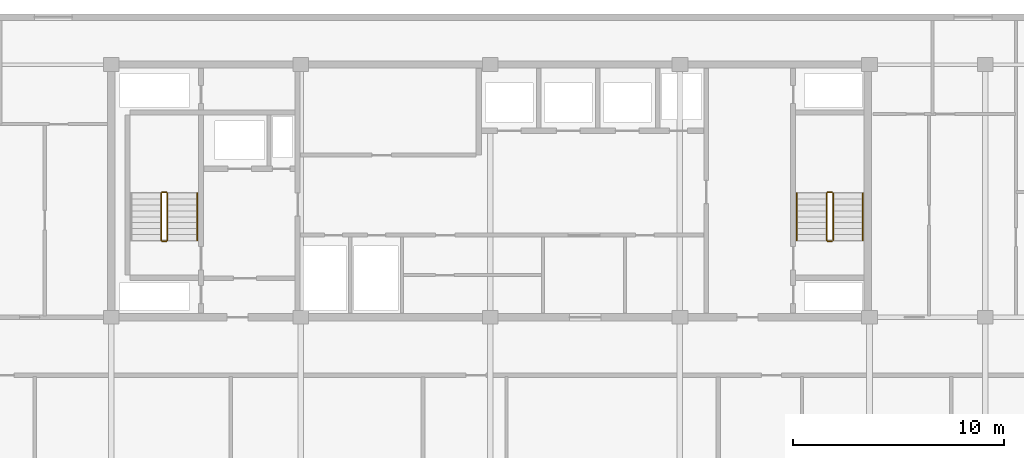
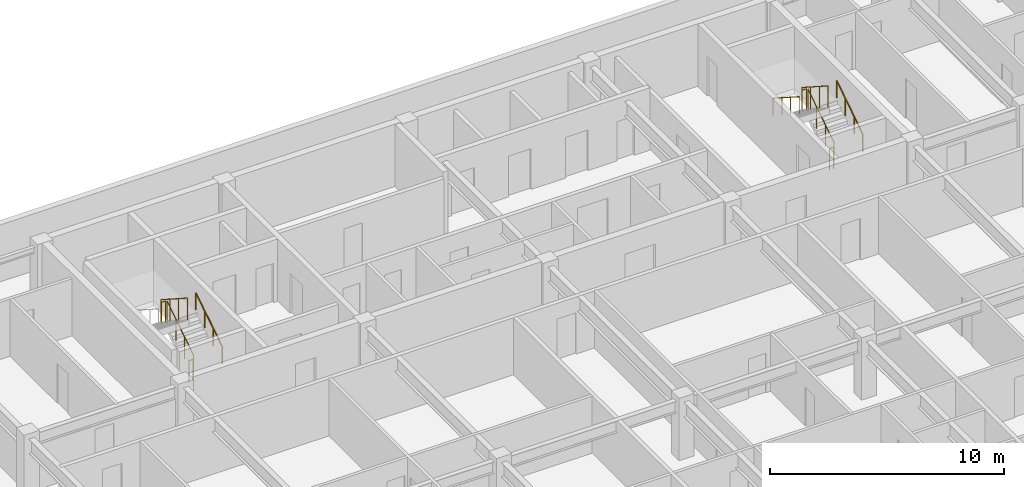
# One storey, part 19 of 22: 11 railings.
"""IFC4 building model written with IfcOpenShell, lengths in metres."""

from ifc_helpers import new_model, si_unit, direction, frame, origin, origin_2d, place, context, subcontext, project, spatial, circle, extrude, material, type_object, element, save


model = new_model("IFC4")

# Units and contexts
model_context = context("Model", 3, precision=1e-05, world=origin(), true_north=direction((0.0, 1.0)))
body_context = subcontext(model_context, "Body", "Model", "MODEL_VIEW")
ifc_project = project(units=[si_unit("LENGTHUNIT", "METRE"), si_unit("AREAUNIT", "SQUARE_METRE"), si_unit("VOLUMEUNIT", "CUBIC_METRE"), si_unit("PLANEANGLEUNIT", "RADIAN"), si_unit("MASSUNIT", "GRAM", prefix="KILO")], contexts=[model_context])

# Site, building, storey
site_placement = place(None, origin())
site = spatial("IfcSite", under=ifc_project, at=site_placement, CompositionType="ELEMENT")
building_placement = place(site_placement, origin())
building = spatial("IfcBuilding", under=site, at=building_placement, Name="Korimba Cascade Residences", CompositionType="ELEMENT")
storey_placement = place(building_placement, frame((0.0, 0.0, 191.35009765625)))
storey = spatial("IfcBuildingStorey", under=building, at=storey_placement, Name="L55", CompositionType="ELEMENT", Elevation=191.35009765625)

# Railings
ifc_material_1 = material(Name="Painted Steel Stairwell Guardrail", Category="steel")
railing_type_1 = type_object("IfcRailingType", Name="RLG-ST-GD1150", PredefinedType="GUARDRAIL", material=ifc_material_1)
railing_1_placement = place(storey_placement, frame((84.77001953125, 22.050048828125, 0.180419921875)))
element("IfcRailing", 1, at=railing_1_placement, inside=storey, type_object=railing_type_1, Name="L55 ST-E1 stair guard 1", PredefinedType="GUARDRAIL", context=body_context, shape_type="SweptSolid", body=[
    extrude(circle(Radius=0.02392578125, at=origin_2d()), frame((0.0, 0.0, 1.1259765625), z_axis=(0.0, 0.840394893359, 0.541974559565), x_axis=(-1.0, 0.0, 0.0)), (0.0, 0.0, 1.0), 2.665283203125),
    extrude(circle(Radius=0.02099609375, at=origin_2d()), origin(), (0.0, 0.0, 1.0), 1.101806640625),
    extrude(circle(Radius=0.02099609375, at=origin_2d()), frame((0.0, 0.74658203125, 0.4814453125)), (0.0, 0.0, 1.0), 1.101806640625),
    extrude(circle(Radius=0.02099609375, at=origin_2d()), frame((0.0, 1.493408203125, 0.963134765625)), (0.0, 0.0, 1.0), 1.101806640625),
    extrude(circle(Radius=0.02099609375, at=origin_2d()), frame((0.0, 2.239990234375, 1.444580078125)), (0.0, 0.0, 1.0), 1.101806640625),
])
railing_2_placement = place(storey_placement, frame((84.719970703125, 24.340087890625, 1.625)))
element("IfcRailing", 2, at=railing_2_placement, inside=storey, type_object=railing_type_1, Name="L55 ST-E1 stair guard 2", PredefinedType="GUARDRAIL", context=body_context, shape_type="SweptSolid", body=[
    extrude(circle(Radius=0.02392578125, at=origin_2d()), frame((0.0, 0.0, 1.1259765625), z_axis=(-1.0, 0.0, 0.0), x_axis=(0.0, -1.0, 0.0)), (0.0, 0.0, 1.0), 0.199951171875),
    extrude(circle(Radius=0.02099609375, at=origin_2d()), origin(), (0.0, 0.0, 1.0), 1.101806640625),
    extrude(circle(Radius=0.02099609375, at=origin_2d()), frame((-0.199951171875, 0.0, 0.0)), (0.0, 0.0, 1.0), 1.101806640625),
])
railing_3_placement = place(storey_placement, frame((84.469970703125, 24.2900390625, 1.805419921875)))
element("IfcRailing", 3, at=railing_3_placement, inside=storey, type_object=railing_type_1, Name="L55 ST-E1 stair guard 3", PredefinedType="GUARDRAIL", context=body_context, shape_type="SweptSolid", body=[
    extrude(circle(Radius=0.02392578125, at=origin_2d()), frame((0.0, 0.0, 1.1259765625), z_axis=(0.0, -0.840394893359, 0.541974559565), x_axis=(1.0, 0.0, 0.0)), (0.0, 0.0, 1.0), 2.665283203125),
    extrude(circle(Radius=0.02099609375, at=origin_2d()), origin(), (0.0, 0.0, 1.0), 1.101806640625),
    extrude(circle(Radius=0.02099609375, at=origin_2d()), frame((0.0, -0.74658203125, 0.4814453125)), (0.0, 0.0, 1.0), 1.101806640625),
    extrude(circle(Radius=0.02099609375, at=origin_2d()), frame((0.0, -1.493408203125, 0.963134765625)), (0.0, 0.0, 1.0), 1.101806640625),
    extrude(circle(Radius=0.02099609375, at=origin_2d()), frame((0.0, -2.239990234375, 1.444580078125)), (0.0, 0.0, 1.0), 1.101806640625),
])
railing_4_placement = place(storey_placement, frame((84.719970703125, 22.0, 0.0)))
element("IfcRailing", 4, at=railing_4_placement, inside=storey, type_object=railing_type_1, Name="L55 ST-E1 stair guard 4", PredefinedType="GUARDRAIL", context=body_context, shape_type="SweptSolid", body=[
    extrude(circle(Radius=0.02392578125, at=origin_2d()), frame((0.0, 0.0, 1.1259765625), z_axis=(-1.0, 0.0, 0.0), x_axis=(0.0, -1.0, 0.0)), (0.0, 0.0, 1.0), 0.199951171875),
    extrude(circle(Radius=0.02099609375, at=origin_2d()), origin(), (0.0, 0.0, 1.0), 1.101806640625),
    extrude(circle(Radius=0.02099609375, at=origin_2d()), frame((-0.199951171875, 0.0, 0.0)), (0.0, 0.0, 1.0), 1.101806640625),
])
railing_5_placement = place(storey_placement, frame((116.3701171875, 22.050048828125, 0.180419921875)))
element("IfcRailing", 5, at=railing_5_placement, inside=storey, type_object=railing_type_1, Name="L55 ST-E2 stair guard 1", PredefinedType="GUARDRAIL", context=body_context, shape_type="SweptSolid", body=[
    extrude(circle(Radius=0.02392578125, at=origin_2d()), frame((0.0, 0.0, 1.1259765625), z_axis=(0.0, 0.840394893359, 0.541974559565), x_axis=(-1.0, 0.0, 0.0)), (0.0, 0.0, 1.0), 2.665283203125),
    extrude(circle(Radius=0.02099609375, at=origin_2d()), origin(), (0.0, 0.0, 1.0), 1.101806640625),
    extrude(circle(Radius=0.02099609375, at=origin_2d()), frame((0.0, 0.74658203125, 0.4814453125)), (0.0, 0.0, 1.0), 1.101806640625),
    extrude(circle(Radius=0.02099609375, at=origin_2d()), frame((0.0, 1.493408203125, 0.963134765625)), (0.0, 0.0, 1.0), 1.101806640625),
    extrude(circle(Radius=0.02099609375, at=origin_2d()), frame((0.0, 2.239990234375, 1.444580078125)), (0.0, 0.0, 1.0), 1.101806640625),
])
railing_6_placement = place(storey_placement, frame((116.320068359375, 24.340087890625, 1.625)))
element("IfcRailing", 6, at=railing_6_placement, inside=storey, type_object=railing_type_1, Name="L55 ST-E2 stair guard 2", PredefinedType="GUARDRAIL", context=body_context, shape_type="SweptSolid", body=[
    extrude(circle(Radius=0.02392578125, at=origin_2d()), frame((0.0, 0.0, 1.1259765625), z_axis=(-1.0, 0.0, 0.0), x_axis=(0.0, -1.0, 0.0)), (0.0, 0.0, 1.0), 0.199951171875),
    extrude(circle(Radius=0.02099609375, at=origin_2d()), origin(), (0.0, 0.0, 1.0), 1.101806640625),
    extrude(circle(Radius=0.02099609375, at=origin_2d()), frame((-0.199951171875, 0.0, 0.0)), (0.0, 0.0, 1.0), 1.101806640625),
])
railing_7_placement = place(storey_placement, frame((116.070068359375, 24.2900390625, 1.805419921875)))
element("IfcRailing", 7, at=railing_7_placement, inside=storey, type_object=railing_type_1, Name="L55 ST-E2 stair guard 3", PredefinedType="GUARDRAIL", context=body_context, shape_type="SweptSolid", body=[
    extrude(circle(Radius=0.02392578125, at=origin_2d()), frame((0.0, 0.0, 1.1259765625), z_axis=(0.0, -0.840394893359, 0.541974559565), x_axis=(1.0, 0.0, 0.0)), (0.0, 0.0, 1.0), 2.665283203125),
    extrude(circle(Radius=0.02099609375, at=origin_2d()), origin(), (0.0, 0.0, 1.0), 1.101806640625),
    extrude(circle(Radius=0.02099609375, at=origin_2d()), frame((0.0, -0.74658203125, 0.4814453125)), (0.0, 0.0, 1.0), 1.101806640625),
    extrude(circle(Radius=0.02099609375, at=origin_2d()), frame((0.0, -1.493408203125, 0.963134765625)), (0.0, 0.0, 1.0), 1.101806640625),
    extrude(circle(Radius=0.02099609375, at=origin_2d()), frame((0.0, -2.239990234375, 1.444580078125)), (0.0, 0.0, 1.0), 1.101806640625),
])
railing_8_placement = place(storey_placement, frame((116.320068359375, 22.0, 0.0)))
element("IfcRailing", 8, at=railing_8_placement, inside=storey, type_object=railing_type_1, Name="L55 ST-E2 stair guard 4", PredefinedType="GUARDRAIL", context=body_context, shape_type="SweptSolid", body=[
    extrude(circle(Radius=0.02392578125, at=origin_2d()), frame((0.0, 0.0, 1.1259765625), z_axis=(-1.0, 0.0, 0.0), x_axis=(0.0, -1.0, 0.0)), (0.0, 0.0, 1.0), 0.199951171875),
    extrude(circle(Radius=0.02099609375, at=origin_2d()), origin(), (0.0, 0.0, 1.0), 1.101806640625),
    extrude(circle(Radius=0.02099609375, at=origin_2d()), frame((-0.199951171875, 0.0, 0.0)), (0.0, 0.0, 1.0), 1.101806640625),
])
ifc_material_2 = material(Name="Brushed Stainless Steel Handrail", Category="steel")
railing_type_2 = type_object("IfcRailingType", Name="RLG-ST-HR900", PredefinedType="HANDRAIL", material=ifc_material_2)
for number, where, name in (
    (9, (86.18994140625, 22.050048828125, 0.36474609375), "L55 ST-E1 stair handrail 1"),
    (10, (117.7900390625, 22.050048828125, 0.36474609375), "L55 ST-E2 stair handrail 1"),
):
    element("IfcRailing", number, at=place(storey_placement, frame(where)), inside=storey, type_object=railing_type_2, Name=name, PredefinedType="HANDRAIL", context=body_context, shape_type="SweptSolid", body=[
        extrude(circle(Radius=0.02392578125, at=origin_2d()), frame((0.0, 0.0, 0.8759765625), z_axis=(0.0, 0.840394893359, 0.541974559565), x_axis=(-1.0, 0.0, 0.0)), (0.0, 0.0, 1.0), 2.665283203125),
        extrude(circle(Radius=0.02099609375, at=origin_2d()), origin(), (0.0, 0.0, 1.0), 0.851806640625),
        extrude(circle(Radius=0.02099609375, at=origin_2d()), frame((0.0, 0.74658203125, 0.4814453125)), (0.0, 0.0, 1.0), 0.851806640625),
        extrude(circle(Radius=0.02099609375, at=origin_2d()), frame((0.0, 1.493408203125, 0.963134765625)), (0.0, 0.0, 1.0), 0.851806640625),
        extrude(circle(Radius=0.02099609375, at=origin_2d()), frame((0.0, 2.239990234375, 1.444580078125)), (0.0, 0.0, 1.0), 0.851806640625),
    ])
railing_9_placement = place(storey_placement, frame((114.64990234375, 24.2900390625, 1.98974609375)))
element("IfcRailing", 11, at=railing_9_placement, inside=storey, type_object=railing_type_2, Name="L55 ST-E2 stair handrail 2", PredefinedType="HANDRAIL", context=body_context, shape_type="SweptSolid", body=[
    extrude(circle(Radius=0.02392578125, at=origin_2d()), frame((0.0, 0.0, 0.8759765625), z_axis=(0.0, -0.840394893359, 0.541974559565), x_axis=(1.0, 0.0, 0.0)), (0.0, 0.0, 1.0), 2.665283203125),
    extrude(circle(Radius=0.02099609375, at=origin_2d()), origin(), (0.0, 0.0, 1.0), 0.851806640625),
    extrude(circle(Radius=0.02099609375, at=origin_2d()), frame((0.0, -0.74658203125, 0.4814453125)), (0.0, 0.0, 1.0), 0.851806640625),
    extrude(circle(Radius=0.02099609375, at=origin_2d()), frame((0.0, -1.493408203125, 0.963134765625)), (0.0, 0.0, 1.0), 0.851806640625),
    extrude(circle(Radius=0.02099609375, at=origin_2d()), frame((0.0, -2.239990234375, 1.444580078125)), (0.0, 0.0, 1.0), 0.851806640625),
])

save(model, "model.ifc")
